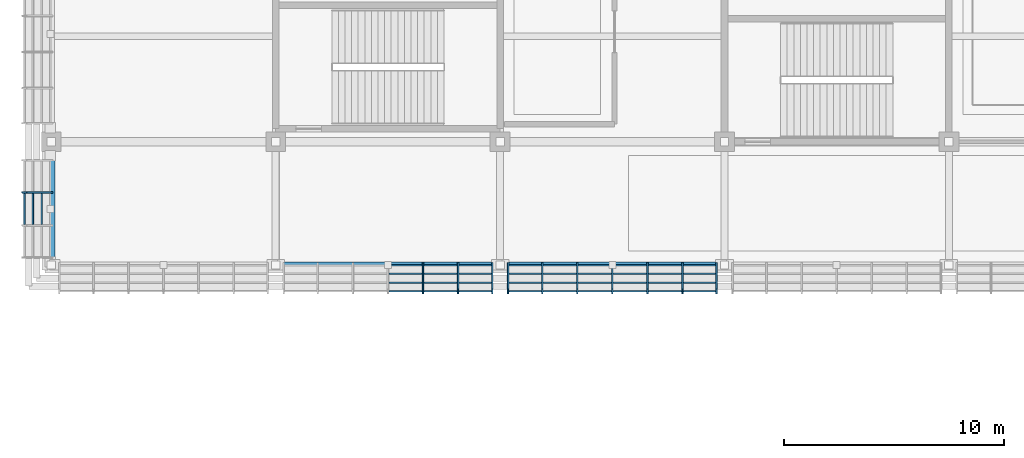
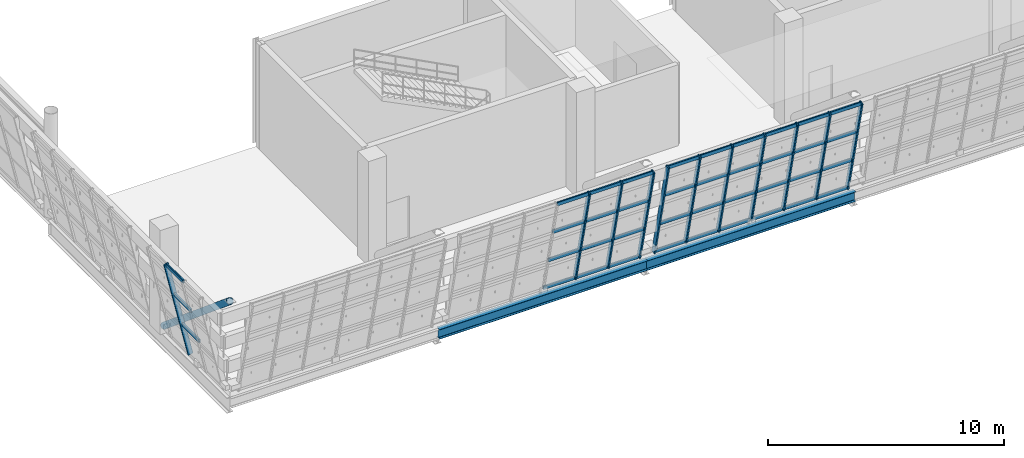
# One storey, part 22 of 175: 51 members, 2 beams, 3 elements without a shape of their own.
"""IFC4 building model written with IfcOpenShell, lengths in metres."""

from ifc_helpers import new_model, si_unit, direction, frame, origin, origin_2d, place, context, subcontext, project, spatial, hollow_rectangle, hollow_circle, i_section, extrude, material, material_profile, profile_set, type_object, element, aggregate, save


model = new_model("IFC4")

# Units and contexts
model_context = context("Model", 3, precision=1e-05, world=origin(), true_north=direction((0.0, 1.0)))
body_context = subcontext(model_context, "Body", "Model", "MODEL_VIEW")
ifc_project = project(units=[si_unit("LENGTHUNIT", "METRE"), si_unit("AREAUNIT", "SQUARE_METRE"), si_unit("VOLUMEUNIT", "CUBIC_METRE"), si_unit("PLANEANGLEUNIT", "RADIAN"), si_unit("MASSUNIT", "GRAM", prefix="KILO")], contexts=[model_context])

# Site, building, storey
site_placement = place(None, origin())
site = spatial("IfcSite", under=ifc_project, at=site_placement, CompositionType="ELEMENT")
building_placement = place(site_placement, origin())
building = spatial("IfcBuilding", under=site, at=building_placement, Name="Brelvane Convention Centre", CompositionType="ELEMENT")
storey_placement = place(building_placement, frame((0.0, 0.0, 5.39990234375)))
storey = spatial("IfcBuildingStorey", under=building, at=storey_placement, Name="L01", CompositionType="ELEMENT", Elevation=5.39990234375)

# Curtain wall, members
ifc_material_1 = material(Name="Anodised Aluminium Alloy 6063-T6", Category="aluminium")
curtain_wall_type = type_object("IfcCurtainWallType", Name="Curtain Wall CW-HULL-S", PredefinedType="USERDEFINED", material=ifc_material_1)
curtain_wall_1_placement = place(storey_placement, origin())
curtain_wall_1 = element("IfcCurtainWall", 1, at=curtain_wall_1_placement, inside=storey, type_object=curtain_wall_type, Name="Curtain Wall CW-HULL-S L01-HULL-S-L01-02", ObjectType="UNITISED", PredefinedType="USERDEFINED")
ifc_material_2 = material(Name="Anodised Aluminium Alloy 6063-T6", Category="aluminium")
ifc_material_profile_1 = material_profile(ifc_material_2, hollow_rectangle(XDim=0.080078125, YDim=0.239990234375, WallThickness=0.006103515625, InnerFilletRadius=0.006103515625, OuterFilletRadius=0.011962890625, at=origin_2d()), Name="ALU-M 240x80x6.0")
ifc_profile_set_1 = profile_set([ifc_material_profile_1], Name="Anodised Aluminium Alloy 6063-T6")
member_type_1 = type_object("IfcMemberType", Name="Curtain Mullion CW-M1", PredefinedType="MULLION", material=ifc_profile_set_1)
member_1_placement = place(storey_placement, frame((16.893310546875, 13.60009765625, 0.0), z_axis=(0.0, -0.228360162456, 0.973576723326), x_axis=(1.0, 0.0, 0.0)))
member_1 = element("IfcMember", 2, at=member_1_placement, type_object=member_type_1, Name="CW-HULL-S mullion 5", PredefinedType="MULLION", context=body_context, shape_type="SweptSolid", body=[
    extrude(hollow_rectangle(XDim=0.080078125, YDim=0.239990234375, WallThickness=0.006103515625, InnerFilletRadius=0.006103515625, OuterFilletRadius=0.011962890625, at=origin_2d()), origin(), (0.0, 0.0, 1.0), 5.2900390625),
])
member_2_placement = place(storey_placement, frame((18.486572265625, 13.60009765625, 0.0), z_axis=(0.0, -0.228360162456, 0.973576723326), x_axis=(1.0, 0.0, 0.0)))
member_2 = element("IfcMember", 3, at=member_2_placement, type_object=member_type_1, Name="CW-HULL-S mullion 6", PredefinedType="MULLION", context=body_context, shape_type="SweptSolid", body=[
    extrude(hollow_rectangle(XDim=0.080078125, YDim=0.239990234375, WallThickness=0.006103515625, InnerFilletRadius=0.006103515625, OuterFilletRadius=0.011962890625, at=origin_2d()), origin(), (0.0, 0.0, 1.0), 5.2900390625),
])
member_3_placement = place(storey_placement, frame((20.0400390625, 13.60009765625, 0.0), z_axis=(0.0, -0.228360162456, 0.973576723326), x_axis=(1.0, 0.0, 0.0)))
member_3 = element("IfcMember", 4, at=member_3_placement, type_object=member_type_1, Name="CW-HULL-S mullion 7", PredefinedType="MULLION", context=body_context, shape_type="SweptSolid", body=[
    extrude(hollow_rectangle(XDim=0.080078125, YDim=0.239990234375, WallThickness=0.006103515625, InnerFilletRadius=0.006103515625, OuterFilletRadius=0.011962890625, at=origin_2d()), origin(), (0.0, 0.0, 1.0), 5.2900390625),
])

curtain_wall_2_placement = place(storey_placement, origin())
curtain_wall_2 = element("IfcCurtainWall", 5, at=curtain_wall_2_placement, inside=storey, type_object=curtain_wall_type, Name="Curtain Wall CW-HULL-S L01-HULL-S-L01-03", ObjectType="UNITISED", PredefinedType="USERDEFINED")
member_4_placement = place(storey_placement, frame((20.760009765625, 13.60009765625, 0.0), z_axis=(0.0, -0.228360162456, 0.973576723326), x_axis=(1.0, 0.0, 0.0)))
member_4 = element("IfcMember", 6, at=member_4_placement, type_object=member_type_1, Name="CW-HULL-S mullion 1", PredefinedType="MULLION", context=body_context, shape_type="SweptSolid", body=[
    extrude(hollow_rectangle(XDim=0.080078125, YDim=0.239990234375, WallThickness=0.006103515625, InnerFilletRadius=0.006103515625, OuterFilletRadius=0.011962890625, at=origin_2d()), origin(), (0.0, 0.0, 1.0), 5.2900390625),
])
member_5_placement = place(storey_placement, frame((22.313232421875, 13.60009765625, 0.0), z_axis=(0.0, -0.228360162456, 0.973576723326), x_axis=(1.0, 0.0, 0.0)))
member_5 = element("IfcMember", 7, at=member_5_placement, type_object=member_type_1, Name="CW-HULL-S mullion 2", PredefinedType="MULLION", context=body_context, shape_type="SweptSolid", body=[
    extrude(hollow_rectangle(XDim=0.080078125, YDim=0.239990234375, WallThickness=0.006103515625, InnerFilletRadius=0.006103515625, OuterFilletRadius=0.011962890625, at=origin_2d()), origin(), (0.0, 0.0, 1.0), 5.2900390625),
])
member_6_placement = place(storey_placement, frame((23.90673828125, 13.60009765625, 0.0), z_axis=(0.0, -0.228360162456, 0.973576723326), x_axis=(1.0, 0.0, 0.0)))
member_6 = element("IfcMember", 8, at=member_6_placement, type_object=member_type_1, Name="CW-HULL-S mullion 3", PredefinedType="MULLION", context=body_context, shape_type="SweptSolid", body=[
    extrude(hollow_rectangle(XDim=0.080078125, YDim=0.239990234375, WallThickness=0.006103515625, InnerFilletRadius=0.006103515625, OuterFilletRadius=0.011962890625, at=origin_2d()), origin(), (0.0, 0.0, 1.0), 5.2900390625),
])
member_7_placement = place(storey_placement, frame((25.5, 13.60009765625, 0.0), z_axis=(0.0, -0.228360162456, 0.973576723326), x_axis=(1.0, 0.0, 0.0)))
member_7 = element("IfcMember", 9, at=member_7_placement, type_object=member_type_1, Name="CW-HULL-S mullion 4", PredefinedType="MULLION", context=body_context, shape_type="SweptSolid", body=[
    extrude(hollow_rectangle(XDim=0.080078125, YDim=0.239990234375, WallThickness=0.006103515625, InnerFilletRadius=0.006103515625, OuterFilletRadius=0.011962890625, at=origin_2d()), origin(), (0.0, 0.0, 1.0), 5.2900390625),
])
member_8_placement = place(storey_placement, frame((27.09326171875, 13.60009765625, 0.0), z_axis=(0.0, -0.228360162456, 0.973576723326), x_axis=(1.0, 0.0, 0.0)))
member_8 = element("IfcMember", 10, at=member_8_placement, type_object=member_type_1, Name="CW-HULL-S mullion 5", PredefinedType="MULLION", context=body_context, shape_type="SweptSolid", body=[
    extrude(hollow_rectangle(XDim=0.080078125, YDim=0.239990234375, WallThickness=0.006103515625, InnerFilletRadius=0.006103515625, OuterFilletRadius=0.011962890625, at=origin_2d()), origin(), (0.0, 0.0, 1.0), 5.2900390625),
])
member_9_placement = place(storey_placement, frame((28.686767578125, 13.60009765625, 0.0), z_axis=(0.0, -0.228360162456, 0.973576723326), x_axis=(1.0, 0.0, 0.0)))
member_9 = element("IfcMember", 11, at=member_9_placement, type_object=member_type_1, Name="CW-HULL-S mullion 6", PredefinedType="MULLION", context=body_context, shape_type="SweptSolid", body=[
    extrude(hollow_rectangle(XDim=0.080078125, YDim=0.239990234375, WallThickness=0.006103515625, InnerFilletRadius=0.006103515625, OuterFilletRadius=0.011962890625, at=origin_2d()), origin(), (0.0, 0.0, 1.0), 5.2900390625),
])
member_10_placement = place(storey_placement, frame((30.239990234375, 13.60009765625, 0.0), z_axis=(0.0, -0.228360162456, 0.973576723326), x_axis=(1.0, 0.0, 0.0)))
member_10 = element("IfcMember", 12, at=member_10_placement, type_object=member_type_1, Name="CW-HULL-S mullion 7", PredefinedType="MULLION", context=body_context, shape_type="SweptSolid", body=[
    extrude(hollow_rectangle(XDim=0.080078125, YDim=0.239990234375, WallThickness=0.006103515625, InnerFilletRadius=0.006103515625, OuterFilletRadius=0.011962890625, at=origin_2d()), origin(), (0.0, 0.0, 1.0), 5.2900390625),
])

# Curtain wall, member
curtain_wall_3_placement = place(storey_placement, origin())
curtain_wall_3 = element("IfcCurtainWall", 13, at=curtain_wall_3_placement, inside=storey, type_object=curtain_wall_type, Name="Curtain Wall CW-HULL-S L01-HULL-W-GAL-L01-A", ObjectType="UNITISED", PredefinedType="USERDEFINED")
member_11_placement = place(storey_placement, frame((-0.0400390625, 16.89990234375, 0.0), z_axis=(-0.228329922226, 0.0, 0.973583815917), x_axis=(0.0, -1.0, 0.0)))
member_11 = element("IfcMember", 14, at=member_11_placement, type_object=member_type_1, Name="CW-HULL-S mullion 3", PredefinedType="MULLION", context=body_context, shape_type="SweptSolid", body=[
    extrude(hollow_rectangle(XDim=0.080078125, YDim=0.239990234375, WallThickness=0.006103515625, InnerFilletRadius=0.006103515625, OuterFilletRadius=0.011962890625, at=origin_2d()), origin(), (0.0, 0.0, 1.0), 5.218017578125),
])

# Member
ifc_material_3 = material(Name="Anodised Aluminium Alloy 6063-T6", Category="aluminium")
ifc_material_profile_2 = material_profile(ifc_material_3, hollow_rectangle(XDim=0.080078125, YDim=0.179931640625, WallThickness=0.0048828125, InnerFilletRadius=0.0048828125, OuterFilletRadius=0.010009765625, at=origin_2d()), Name="ALU-T 180x80x5.0")
ifc_profile_set_2 = profile_set([ifc_material_profile_2], Name="Anodised Aluminium Alloy 6063-T6")
member_type_2 = type_object("IfcMemberType", Name="Curtain Transom CW-T1", PredefinedType="USERDEFINED", material=ifc_profile_set_2)
member_12_placement = place(storey_placement, frame((15.340087890625, 13.590576171875, 0.0400390625), z_axis=(1.0, 0.0, 0.0), x_axis=(0.0, 1.0, 0.0)))
member_12 = element("IfcMember", 15, at=member_12_placement, type_object=member_type_2, Name="CW-HULL-S transom 4.1", ObjectType="TRANSOM", PredefinedType="USERDEFINED", context=body_context, shape_type="SweptSolid", body=[
    extrude(hollow_rectangle(XDim=0.080078125, YDim=0.179931640625, WallThickness=0.0048828125, InnerFilletRadius=0.0048828125, OuterFilletRadius=0.010009765625, at=origin_2d()), origin(), (0.0, 0.0, 1.0), 1.51318359375),
])

member_13_placement = place(storey_placement, frame((15.340087890625, 13.197265625, 1.716796875), z_axis=(1.0, 0.0, 0.0), x_axis=(0.0, 1.0, 0.0)))
member_13 = element("IfcMember", 16, at=member_13_placement, type_object=member_type_2, Name="CW-HULL-S transom 4.2", ObjectType="TRANSOM", PredefinedType="USERDEFINED", context=body_context, shape_type="SweptSolid", body=[
    extrude(hollow_rectangle(XDim=0.080078125, YDim=0.179931640625, WallThickness=0.0048828125, InnerFilletRadius=0.0048828125, OuterFilletRadius=0.010009765625, at=origin_2d()), origin(), (0.0, 0.0, 1.0), 1.51318359375),
])

member_14_placement = place(storey_placement, frame((15.340087890625, 12.794677734375, 3.433349609375), z_axis=(1.0, 0.0, 0.0), x_axis=(0.0, 1.0, 0.0)))
member_14 = element("IfcMember", 17, at=member_14_placement, type_object=member_type_2, Name="CW-HULL-S transom 4.3", ObjectType="TRANSOM", PredefinedType="USERDEFINED", context=body_context, shape_type="SweptSolid", body=[
    extrude(hollow_rectangle(XDim=0.080078125, YDim=0.179931640625, WallThickness=0.0048828125, InnerFilletRadius=0.0048828125, OuterFilletRadius=0.010009765625, at=origin_2d()), origin(), (0.0, 0.0, 1.0), 1.51318359375),
])

member_15_placement = place(storey_placement, frame((15.340087890625, 12.4013671875, 5.110107421875), z_axis=(1.0, 0.0, 0.0), x_axis=(0.0, 1.0, 0.0)))
member_15 = element("IfcMember", 18, at=member_15_placement, type_object=member_type_2, Name="CW-HULL-S transom 4.4", ObjectType="TRANSOM", PredefinedType="USERDEFINED", context=body_context, shape_type="SweptSolid", body=[
    extrude(hollow_rectangle(XDim=0.080078125, YDim=0.179931640625, WallThickness=0.0048828125, InnerFilletRadius=0.0048828125, OuterFilletRadius=0.010009765625, at=origin_2d()), origin(), (0.0, 0.0, 1.0), 1.51318359375),
])

member_16_placement = place(storey_placement, frame((16.933349609375, 13.590576171875, 0.0400390625), z_axis=(1.0, 0.0, 0.0), x_axis=(0.0, 1.0, 0.0)))
member_16 = element("IfcMember", 19, at=member_16_placement, type_object=member_type_2, Name="CW-HULL-S transom 5.1", ObjectType="TRANSOM", PredefinedType="USERDEFINED", context=body_context, shape_type="SweptSolid", body=[
    extrude(hollow_rectangle(XDim=0.080078125, YDim=0.179931640625, WallThickness=0.0048828125, InnerFilletRadius=0.0048828125, OuterFilletRadius=0.010009765625, at=origin_2d()), origin(), (0.0, 0.0, 1.0), 1.513427734375),
])

member_17_placement = place(storey_placement, frame((16.933349609375, 13.197265625, 1.716796875), z_axis=(1.0, 0.0, 0.0), x_axis=(0.0, 1.0, 0.0)))
member_17 = element("IfcMember", 20, at=member_17_placement, type_object=member_type_2, Name="CW-HULL-S transom 5.2", ObjectType="TRANSOM", PredefinedType="USERDEFINED", context=body_context, shape_type="SweptSolid", body=[
    extrude(hollow_rectangle(XDim=0.080078125, YDim=0.179931640625, WallThickness=0.0048828125, InnerFilletRadius=0.0048828125, OuterFilletRadius=0.010009765625, at=origin_2d()), origin(), (0.0, 0.0, 1.0), 1.513427734375),
])

member_18_placement = place(storey_placement, frame((16.933349609375, 12.794677734375, 3.433349609375), z_axis=(1.0, 0.0, 0.0), x_axis=(0.0, 1.0, 0.0)))
member_18 = element("IfcMember", 21, at=member_18_placement, type_object=member_type_2, Name="CW-HULL-S transom 5.3", ObjectType="TRANSOM", PredefinedType="USERDEFINED", context=body_context, shape_type="SweptSolid", body=[
    extrude(hollow_rectangle(XDim=0.080078125, YDim=0.179931640625, WallThickness=0.0048828125, InnerFilletRadius=0.0048828125, OuterFilletRadius=0.010009765625, at=origin_2d()), origin(), (0.0, 0.0, 1.0), 1.513427734375),
])

member_19_placement = place(storey_placement, frame((16.933349609375, 12.4013671875, 5.110107421875), z_axis=(1.0, 0.0, 0.0), x_axis=(0.0, 1.0, 0.0)))
member_19 = element("IfcMember", 22, at=member_19_placement, type_object=member_type_2, Name="CW-HULL-S transom 5.4", ObjectType="TRANSOM", PredefinedType="USERDEFINED", context=body_context, shape_type="SweptSolid", body=[
    extrude(hollow_rectangle(XDim=0.080078125, YDim=0.179931640625, WallThickness=0.0048828125, InnerFilletRadius=0.0048828125, OuterFilletRadius=0.010009765625, at=origin_2d()), origin(), (0.0, 0.0, 1.0), 1.513427734375),
])

member_20_placement = place(storey_placement, frame((18.526611328125, 13.590576171875, 0.0400390625), z_axis=(1.0, 0.0, 0.0), x_axis=(0.0, 1.0, 0.0)))
member_20 = element("IfcMember", 23, at=member_20_placement, type_object=member_type_2, Name="CW-HULL-S transom 6.1", ObjectType="TRANSOM", PredefinedType="USERDEFINED", context=body_context, shape_type="SweptSolid", body=[
    extrude(hollow_rectangle(XDim=0.080078125, YDim=0.179931640625, WallThickness=0.0048828125, InnerFilletRadius=0.0048828125, OuterFilletRadius=0.010009765625, at=origin_2d()), origin(), (0.0, 0.0, 1.0), 1.473388671875),
])

member_21_placement = place(storey_placement, frame((18.526611328125, 13.197265625, 1.716796875), z_axis=(1.0, 0.0, 0.0), x_axis=(0.0, 1.0, 0.0)))
member_21 = element("IfcMember", 24, at=member_21_placement, type_object=member_type_2, Name="CW-HULL-S transom 6.2", ObjectType="TRANSOM", PredefinedType="USERDEFINED", context=body_context, shape_type="SweptSolid", body=[
    extrude(hollow_rectangle(XDim=0.080078125, YDim=0.179931640625, WallThickness=0.0048828125, InnerFilletRadius=0.0048828125, OuterFilletRadius=0.010009765625, at=origin_2d()), origin(), (0.0, 0.0, 1.0), 1.473388671875),
])

member_22_placement = place(storey_placement, frame((18.526611328125, 12.794677734375, 3.433349609375), z_axis=(1.0, 0.0, 0.0), x_axis=(0.0, 1.0, 0.0)))
member_22 = element("IfcMember", 25, at=member_22_placement, type_object=member_type_2, Name="CW-HULL-S transom 6.3", ObjectType="TRANSOM", PredefinedType="USERDEFINED", context=body_context, shape_type="SweptSolid", body=[
    extrude(hollow_rectangle(XDim=0.080078125, YDim=0.179931640625, WallThickness=0.0048828125, InnerFilletRadius=0.0048828125, OuterFilletRadius=0.010009765625, at=origin_2d()), origin(), (0.0, 0.0, 1.0), 1.473388671875),
])

member_23_placement = place(storey_placement, frame((18.526611328125, 12.4013671875, 5.110107421875), z_axis=(1.0, 0.0, 0.0), x_axis=(0.0, 1.0, 0.0)))
member_23 = element("IfcMember", 26, at=member_23_placement, type_object=member_type_2, Name="CW-HULL-S transom 6.4", ObjectType="TRANSOM", PredefinedType="USERDEFINED", context=body_context, shape_type="SweptSolid", body=[
    extrude(hollow_rectangle(XDim=0.080078125, YDim=0.179931640625, WallThickness=0.0048828125, InnerFilletRadius=0.0048828125, OuterFilletRadius=0.010009765625, at=origin_2d()), origin(), (0.0, 0.0, 1.0), 1.473388671875),
])

aggregate(curtain_wall_1, [member_1, member_2, member_3, member_12, member_13, member_14, member_15, member_16, member_17, member_18, member_19, member_20, member_21, member_22, member_23])

member_24_placement = place(storey_placement, frame((20.800048828125, 13.590576171875, 0.0400390625), z_axis=(1.0, 0.0, 0.0), x_axis=(0.0, 1.0, 0.0)))
member_24 = element("IfcMember", 27, at=member_24_placement, type_object=member_type_2, Name="CW-HULL-S transom 1.1", ObjectType="TRANSOM", PredefinedType="USERDEFINED", context=body_context, shape_type="SweptSolid", body=[
    extrude(hollow_rectangle(XDim=0.080078125, YDim=0.179931640625, WallThickness=0.0048828125, InnerFilletRadius=0.0048828125, OuterFilletRadius=0.010009765625, at=origin_2d()), origin(), (0.0, 0.0, 1.0), 1.473388671875),
])

member_25_placement = place(storey_placement, frame((20.800048828125, 13.197265625, 1.716796875), z_axis=(1.0, 0.0, 0.0), x_axis=(0.0, 1.0, 0.0)))
member_25 = element("IfcMember", 28, at=member_25_placement, type_object=member_type_2, Name="CW-HULL-S transom 1.2", ObjectType="TRANSOM", PredefinedType="USERDEFINED", context=body_context, shape_type="SweptSolid", body=[
    extrude(hollow_rectangle(XDim=0.080078125, YDim=0.179931640625, WallThickness=0.0048828125, InnerFilletRadius=0.0048828125, OuterFilletRadius=0.010009765625, at=origin_2d()), origin(), (0.0, 0.0, 1.0), 1.473388671875),
])

member_26_placement = place(storey_placement, frame((20.800048828125, 12.794677734375, 3.433349609375), z_axis=(1.0, 0.0, 0.0), x_axis=(0.0, 1.0, 0.0)))
member_26 = element("IfcMember", 29, at=member_26_placement, type_object=member_type_2, Name="CW-HULL-S transom 1.3", ObjectType="TRANSOM", PredefinedType="USERDEFINED", context=body_context, shape_type="SweptSolid", body=[
    extrude(hollow_rectangle(XDim=0.080078125, YDim=0.179931640625, WallThickness=0.0048828125, InnerFilletRadius=0.0048828125, OuterFilletRadius=0.010009765625, at=origin_2d()), origin(), (0.0, 0.0, 1.0), 1.473388671875),
])

member_27_placement = place(storey_placement, frame((20.800048828125, 12.4013671875, 5.110107421875), z_axis=(1.0, 0.0, 0.0), x_axis=(0.0, 1.0, 0.0)))
member_27 = element("IfcMember", 30, at=member_27_placement, type_object=member_type_2, Name="CW-HULL-S transom 1.4", ObjectType="TRANSOM", PredefinedType="USERDEFINED", context=body_context, shape_type="SweptSolid", body=[
    extrude(hollow_rectangle(XDim=0.080078125, YDim=0.179931640625, WallThickness=0.0048828125, InnerFilletRadius=0.0048828125, OuterFilletRadius=0.010009765625, at=origin_2d()), origin(), (0.0, 0.0, 1.0), 1.473388671875),
])

member_28_placement = place(storey_placement, frame((22.353271484375, 13.590576171875, 0.0400390625), z_axis=(1.0, 0.0, 0.0), x_axis=(0.0, 1.0, 0.0)))
member_28 = element("IfcMember", 31, at=member_28_placement, type_object=member_type_2, Name="CW-HULL-S transom 2.1", ObjectType="TRANSOM", PredefinedType="USERDEFINED", context=body_context, shape_type="SweptSolid", body=[
    extrude(hollow_rectangle(XDim=0.080078125, YDim=0.179931640625, WallThickness=0.0048828125, InnerFilletRadius=0.0048828125, OuterFilletRadius=0.010009765625, at=origin_2d()), origin(), (0.0, 0.0, 1.0), 1.513427734375),
])

member_29_placement = place(storey_placement, frame((22.353271484375, 13.197265625, 1.716796875), z_axis=(1.0, 0.0, 0.0), x_axis=(0.0, 1.0, 0.0)))
member_29 = element("IfcMember", 32, at=member_29_placement, type_object=member_type_2, Name="CW-HULL-S transom 2.2", ObjectType="TRANSOM", PredefinedType="USERDEFINED", context=body_context, shape_type="SweptSolid", body=[
    extrude(hollow_rectangle(XDim=0.080078125, YDim=0.179931640625, WallThickness=0.0048828125, InnerFilletRadius=0.0048828125, OuterFilletRadius=0.010009765625, at=origin_2d()), origin(), (0.0, 0.0, 1.0), 1.513427734375),
])

member_30_placement = place(storey_placement, frame((22.353271484375, 12.794677734375, 3.433349609375), z_axis=(1.0, 0.0, 0.0), x_axis=(0.0, 1.0, 0.0)))
member_30 = element("IfcMember", 33, at=member_30_placement, type_object=member_type_2, Name="CW-HULL-S transom 2.3", ObjectType="TRANSOM", PredefinedType="USERDEFINED", context=body_context, shape_type="SweptSolid", body=[
    extrude(hollow_rectangle(XDim=0.080078125, YDim=0.179931640625, WallThickness=0.0048828125, InnerFilletRadius=0.0048828125, OuterFilletRadius=0.010009765625, at=origin_2d()), origin(), (0.0, 0.0, 1.0), 1.513427734375),
])

member_31_placement = place(storey_placement, frame((22.353271484375, 12.4013671875, 5.110107421875), z_axis=(1.0, 0.0, 0.0), x_axis=(0.0, 1.0, 0.0)))
member_31 = element("IfcMember", 34, at=member_31_placement, type_object=member_type_2, Name="CW-HULL-S transom 2.4", ObjectType="TRANSOM", PredefinedType="USERDEFINED", context=body_context, shape_type="SweptSolid", body=[
    extrude(hollow_rectangle(XDim=0.080078125, YDim=0.179931640625, WallThickness=0.0048828125, InnerFilletRadius=0.0048828125, OuterFilletRadius=0.010009765625, at=origin_2d()), origin(), (0.0, 0.0, 1.0), 1.513427734375),
])

member_32_placement = place(storey_placement, frame((23.94677734375, 13.590576171875, 0.0400390625), z_axis=(1.0, 0.0, 0.0), x_axis=(0.0, 1.0, 0.0)))
member_32 = element("IfcMember", 35, at=member_32_placement, type_object=member_type_2, Name="CW-HULL-S transom 3.1", ObjectType="TRANSOM", PredefinedType="USERDEFINED", context=body_context, shape_type="SweptSolid", body=[
    extrude(hollow_rectangle(XDim=0.080078125, YDim=0.179931640625, WallThickness=0.0048828125, InnerFilletRadius=0.0048828125, OuterFilletRadius=0.010009765625, at=origin_2d()), origin(), (0.0, 0.0, 1.0), 1.51318359375),
])

member_33_placement = place(storey_placement, frame((23.94677734375, 13.197265625, 1.716796875), z_axis=(1.0, 0.0, 0.0), x_axis=(0.0, 1.0, 0.0)))
member_33 = element("IfcMember", 36, at=member_33_placement, type_object=member_type_2, Name="CW-HULL-S transom 3.2", ObjectType="TRANSOM", PredefinedType="USERDEFINED", context=body_context, shape_type="SweptSolid", body=[
    extrude(hollow_rectangle(XDim=0.080078125, YDim=0.179931640625, WallThickness=0.0048828125, InnerFilletRadius=0.0048828125, OuterFilletRadius=0.010009765625, at=origin_2d()), origin(), (0.0, 0.0, 1.0), 1.51318359375),
])

member_34_placement = place(storey_placement, frame((23.94677734375, 12.794677734375, 3.433349609375), z_axis=(1.0, 0.0, 0.0), x_axis=(0.0, 1.0, 0.0)))
member_34 = element("IfcMember", 37, at=member_34_placement, type_object=member_type_2, Name="CW-HULL-S transom 3.3", ObjectType="TRANSOM", PredefinedType="USERDEFINED", context=body_context, shape_type="SweptSolid", body=[
    extrude(hollow_rectangle(XDim=0.080078125, YDim=0.179931640625, WallThickness=0.0048828125, InnerFilletRadius=0.0048828125, OuterFilletRadius=0.010009765625, at=origin_2d()), origin(), (0.0, 0.0, 1.0), 1.51318359375),
])

member_35_placement = place(storey_placement, frame((23.94677734375, 12.4013671875, 5.110107421875), z_axis=(1.0, 0.0, 0.0), x_axis=(0.0, 1.0, 0.0)))
member_35 = element("IfcMember", 38, at=member_35_placement, type_object=member_type_2, Name="CW-HULL-S transom 3.4", ObjectType="TRANSOM", PredefinedType="USERDEFINED", context=body_context, shape_type="SweptSolid", body=[
    extrude(hollow_rectangle(XDim=0.080078125, YDim=0.179931640625, WallThickness=0.0048828125, InnerFilletRadius=0.0048828125, OuterFilletRadius=0.010009765625, at=origin_2d()), origin(), (0.0, 0.0, 1.0), 1.51318359375),
])

member_36_placement = place(storey_placement, frame((25.5400390625, 13.590576171875, 0.0400390625), z_axis=(1.0, 0.0, 0.0), x_axis=(0.0, 1.0, 0.0)))
member_36 = element("IfcMember", 39, at=member_36_placement, type_object=member_type_2, Name="CW-HULL-S transom 4.1", ObjectType="TRANSOM", PredefinedType="USERDEFINED", context=body_context, shape_type="SweptSolid", body=[
    extrude(hollow_rectangle(XDim=0.080078125, YDim=0.179931640625, WallThickness=0.0048828125, InnerFilletRadius=0.0048828125, OuterFilletRadius=0.010009765625, at=origin_2d()), origin(), (0.0, 0.0, 1.0), 1.51318359375),
])

member_37_placement = place(storey_placement, frame((25.5400390625, 13.197265625, 1.716796875), z_axis=(1.0, 0.0, 0.0), x_axis=(0.0, 1.0, 0.0)))
member_37 = element("IfcMember", 40, at=member_37_placement, type_object=member_type_2, Name="CW-HULL-S transom 4.2", ObjectType="TRANSOM", PredefinedType="USERDEFINED", context=body_context, shape_type="SweptSolid", body=[
    extrude(hollow_rectangle(XDim=0.080078125, YDim=0.179931640625, WallThickness=0.0048828125, InnerFilletRadius=0.0048828125, OuterFilletRadius=0.010009765625, at=origin_2d()), origin(), (0.0, 0.0, 1.0), 1.51318359375),
])

member_38_placement = place(storey_placement, frame((25.5400390625, 12.794677734375, 3.433349609375), z_axis=(1.0, 0.0, 0.0), x_axis=(0.0, 1.0, 0.0)))
member_38 = element("IfcMember", 41, at=member_38_placement, type_object=member_type_2, Name="CW-HULL-S transom 4.3", ObjectType="TRANSOM", PredefinedType="USERDEFINED", context=body_context, shape_type="SweptSolid", body=[
    extrude(hollow_rectangle(XDim=0.080078125, YDim=0.179931640625, WallThickness=0.0048828125, InnerFilletRadius=0.0048828125, OuterFilletRadius=0.010009765625, at=origin_2d()), origin(), (0.0, 0.0, 1.0), 1.51318359375),
])

member_39_placement = place(storey_placement, frame((25.5400390625, 12.4013671875, 5.110107421875), z_axis=(1.0, 0.0, 0.0), x_axis=(0.0, 1.0, 0.0)))
member_39 = element("IfcMember", 42, at=member_39_placement, type_object=member_type_2, Name="CW-HULL-S transom 4.4", ObjectType="TRANSOM", PredefinedType="USERDEFINED", context=body_context, shape_type="SweptSolid", body=[
    extrude(hollow_rectangle(XDim=0.080078125, YDim=0.179931640625, WallThickness=0.0048828125, InnerFilletRadius=0.0048828125, OuterFilletRadius=0.010009765625, at=origin_2d()), origin(), (0.0, 0.0, 1.0), 1.51318359375),
])

member_40_placement = place(storey_placement, frame((27.13330078125, 13.590576171875, 0.0400390625), z_axis=(1.0, 0.0, 0.0), x_axis=(0.0, 1.0, 0.0)))
member_40 = element("IfcMember", 43, at=member_40_placement, type_object=member_type_2, Name="CW-HULL-S transom 5.1", ObjectType="TRANSOM", PredefinedType="USERDEFINED", context=body_context, shape_type="SweptSolid", body=[
    extrude(hollow_rectangle(XDim=0.080078125, YDim=0.179931640625, WallThickness=0.0048828125, InnerFilletRadius=0.0048828125, OuterFilletRadius=0.010009765625, at=origin_2d()), origin(), (0.0, 0.0, 1.0), 1.513427734375),
])

member_41_placement = place(storey_placement, frame((27.13330078125, 13.197265625, 1.716796875), z_axis=(1.0, 0.0, 0.0), x_axis=(0.0, 1.0, 0.0)))
member_41 = element("IfcMember", 44, at=member_41_placement, type_object=member_type_2, Name="CW-HULL-S transom 5.2", ObjectType="TRANSOM", PredefinedType="USERDEFINED", context=body_context, shape_type="SweptSolid", body=[
    extrude(hollow_rectangle(XDim=0.080078125, YDim=0.179931640625, WallThickness=0.0048828125, InnerFilletRadius=0.0048828125, OuterFilletRadius=0.010009765625, at=origin_2d()), origin(), (0.0, 0.0, 1.0), 1.513427734375),
])

member_42_placement = place(storey_placement, frame((27.13330078125, 12.794677734375, 3.433349609375), z_axis=(1.0, 0.0, 0.0), x_axis=(0.0, 1.0, 0.0)))
member_42 = element("IfcMember", 45, at=member_42_placement, type_object=member_type_2, Name="CW-HULL-S transom 5.3", ObjectType="TRANSOM", PredefinedType="USERDEFINED", context=body_context, shape_type="SweptSolid", body=[
    extrude(hollow_rectangle(XDim=0.080078125, YDim=0.179931640625, WallThickness=0.0048828125, InnerFilletRadius=0.0048828125, OuterFilletRadius=0.010009765625, at=origin_2d()), origin(), (0.0, 0.0, 1.0), 1.513427734375),
])

member_43_placement = place(storey_placement, frame((27.13330078125, 12.4013671875, 5.110107421875), z_axis=(1.0, 0.0, 0.0), x_axis=(0.0, 1.0, 0.0)))
member_43 = element("IfcMember", 46, at=member_43_placement, type_object=member_type_2, Name="CW-HULL-S transom 5.4", ObjectType="TRANSOM", PredefinedType="USERDEFINED", context=body_context, shape_type="SweptSolid", body=[
    extrude(hollow_rectangle(XDim=0.080078125, YDim=0.179931640625, WallThickness=0.0048828125, InnerFilletRadius=0.0048828125, OuterFilletRadius=0.010009765625, at=origin_2d()), origin(), (0.0, 0.0, 1.0), 1.513427734375),
])

member_44_placement = place(storey_placement, frame((28.7265625, 13.590576171875, 0.0400390625), z_axis=(1.0, 0.0, 0.0), x_axis=(0.0, 1.0, 0.0)))
member_44 = element("IfcMember", 47, at=member_44_placement, type_object=member_type_2, Name="CW-HULL-S transom 6.1", ObjectType="TRANSOM", PredefinedType="USERDEFINED", context=body_context, shape_type="SweptSolid", body=[
    extrude(hollow_rectangle(XDim=0.080078125, YDim=0.179931640625, WallThickness=0.0048828125, InnerFilletRadius=0.0048828125, OuterFilletRadius=0.010009765625, at=origin_2d()), origin(), (0.0, 0.0, 1.0), 1.473388671875),
])

member_45_placement = place(storey_placement, frame((28.7265625, 13.197265625, 1.716796875), z_axis=(1.0, 0.0, 0.0), x_axis=(0.0, 1.0, 0.0)))
member_45 = element("IfcMember", 48, at=member_45_placement, type_object=member_type_2, Name="CW-HULL-S transom 6.2", ObjectType="TRANSOM", PredefinedType="USERDEFINED", context=body_context, shape_type="SweptSolid", body=[
    extrude(hollow_rectangle(XDim=0.080078125, YDim=0.179931640625, WallThickness=0.0048828125, InnerFilletRadius=0.0048828125, OuterFilletRadius=0.010009765625, at=origin_2d()), origin(), (0.0, 0.0, 1.0), 1.473388671875),
])

member_46_placement = place(storey_placement, frame((28.7265625, 12.794677734375, 3.433349609375), z_axis=(1.0, 0.0, 0.0), x_axis=(0.0, 1.0, 0.0)))
member_46 = element("IfcMember", 49, at=member_46_placement, type_object=member_type_2, Name="CW-HULL-S transom 6.3", ObjectType="TRANSOM", PredefinedType="USERDEFINED", context=body_context, shape_type="SweptSolid", body=[
    extrude(hollow_rectangle(XDim=0.080078125, YDim=0.179931640625, WallThickness=0.0048828125, InnerFilletRadius=0.0048828125, OuterFilletRadius=0.010009765625, at=origin_2d()), origin(), (0.0, 0.0, 1.0), 1.473388671875),
])

member_47_placement = place(storey_placement, frame((28.7265625, 12.4013671875, 5.110107421875), z_axis=(1.0, 0.0, 0.0), x_axis=(0.0, 1.0, 0.0)))
member_47 = element("IfcMember", 50, at=member_47_placement, type_object=member_type_2, Name="CW-HULL-S transom 6.4", ObjectType="TRANSOM", PredefinedType="USERDEFINED", context=body_context, shape_type="SweptSolid", body=[
    extrude(hollow_rectangle(XDim=0.080078125, YDim=0.179931640625, WallThickness=0.0048828125, InnerFilletRadius=0.0048828125, OuterFilletRadius=0.010009765625, at=origin_2d()), origin(), (0.0, 0.0, 1.0), 1.473388671875),
])

aggregate(curtain_wall_2, [member_4, member_5, member_6, member_7, member_8, member_9, member_10, member_24, member_25, member_26, member_27, member_28, member_29, member_30, member_31, member_32, member_33, member_34, member_35, member_36, member_37, member_38, member_39, member_40, member_41, member_42, member_43, member_44, member_45, member_46, member_47])

member_48_placement = place(storey_placement, frame((-0.437255859375, 15.43994140625, 1.693359375), z_axis=(0.0, 1.0, 0.0), x_axis=(-1.0, 0.0, 0.0)))
member_48 = element("IfcMember", 51, at=member_48_placement, type_object=member_type_2, Name="CW-HULL-S transom 2.2", ObjectType="TRANSOM", PredefinedType="USERDEFINED", context=body_context, shape_type="SweptSolid", body=[
    extrude(hollow_rectangle(XDim=0.080078125, YDim=0.179931640625, WallThickness=0.0048828125, InnerFilletRadius=0.0048828125, OuterFilletRadius=0.010009765625, at=origin_2d()), origin(), (0.0, 0.0, 1.0), 1.420166015625),
])

member_49_placement = place(storey_placement, frame((-0.834228515625, 15.43994140625, 3.38671875), z_axis=(0.0, 1.0, 0.0), x_axis=(-1.0, 0.0, 0.0)))
member_49 = element("IfcMember", 52, at=member_49_placement, type_object=member_type_2, Name="CW-HULL-S transom 2.3", ObjectType="TRANSOM", PredefinedType="USERDEFINED", context=body_context, shape_type="SweptSolid", body=[
    extrude(hollow_rectangle(XDim=0.080078125, YDim=0.179931640625, WallThickness=0.0048828125, InnerFilletRadius=0.0048828125, OuterFilletRadius=0.010009765625, at=origin_2d()), origin(), (0.0, 0.0, 1.0), 1.420166015625),
])

member_50_placement = place(storey_placement, frame((-1.22216796875, 15.43994140625, 5.0400390625), z_axis=(0.0, 1.0, 0.0), x_axis=(-1.0, 0.0, 0.0)))
member_50 = element("IfcMember", 53, at=member_50_placement, type_object=member_type_2, Name="CW-HULL-S transom 2.4", ObjectType="TRANSOM", PredefinedType="USERDEFINED", context=body_context, shape_type="SweptSolid", body=[
    extrude(hollow_rectangle(XDim=0.080078125, YDim=0.179931640625, WallThickness=0.0048828125, InnerFilletRadius=0.0048828125, OuterFilletRadius=0.010009765625, at=origin_2d()), origin(), (0.0, 0.0, 1.0), 1.420166015625),
])

aggregate(curtain_wall_3, [member_11, member_48, member_49, member_50])

# Beams
ifc_material_4 = material(Name="Steel E350 (350 MPa)", Category="steel")
ifc_material_profile_3 = material_profile(ifc_material_4, i_section(OverallWidth=0.25, OverallDepth=0.5, WebThickness=0.010009765625, FlangeThickness=0.0146484375, FilletRadius=0.01611328125, at=origin_2d()), Name="ISWB 500")
ifc_profile_set_3 = profile_set([ifc_material_profile_3], Name="Steel E350 (350 MPa)")
beam_type = type_object("IfcBeamType", Name="Steel Spandrel SP-ST1 (ISWB 500)", PredefinedType="SPANDREL", material=ifc_profile_set_3)
beam_1_placement = place(storey_placement, frame((10.199951171875, 13.60009765625, -0.510009765625), z_axis=(1.0, 0.0, 0.0), x_axis=(0.0, 1.0, 0.0)))
element("IfcBeam", 54, at=beam_1_placement, inside=storey, type_object=beam_type, Name="L01 Hull Overhang Edge Spandrel 2", PredefinedType="SPANDREL", context=body_context, shape_type="SweptSolid", body=[
    extrude(i_section(OverallWidth=0.25, OverallDepth=0.5, WebThickness=0.010009765625, FlangeThickness=0.0146484375, FilletRadius=0.01611328125, at=origin_2d()), origin(), (0.0, 0.0, 1.0), 10.199951171875),
])
beam_2_placement = place(storey_placement, frame((20.39990234375, 13.60009765625, -0.510009765625), z_axis=(1.0, 0.0, 0.0), x_axis=(0.0, 1.0, 0.0)))
element("IfcBeam", 55, at=beam_2_placement, inside=storey, type_object=beam_type, Name="L01 Hull Overhang Edge Spandrel 3", PredefinedType="SPANDREL", context=body_context, shape_type="SweptSolid", body=[
    extrude(i_section(OverallWidth=0.25, OverallDepth=0.5, WebThickness=0.010009765625, FlangeThickness=0.0146484375, FilletRadius=0.01611328125, at=origin_2d()), origin(), (0.0, 0.0, 1.0), 10.2001953125),
])

# Member
ifc_material_5 = material(Name="Steel E450 (450 MPa)", Category="steel")
ifc_material_profile_4 = material_profile(ifc_material_5, hollow_circle(Radius=0.161865234375, WallThickness=0.012451171875, at=origin_2d()), Name="CHS 323.9x12.5")
ifc_profile_set_4 = profile_set([ifc_material_profile_4], Name="Steel E450 (450 MPa)")
member_type_3 = type_object("IfcMemberType", Name="Steel Strut HS-ST2 (CHS 323.9x12.5)", PredefinedType="STRUT", material=ifc_profile_set_4)
member_51_placement = place(storey_placement, frame((0.0, 19.199951171875, 0.050048828125), z_axis=(0.0, -0.767976969641, 0.640477457918), x_axis=(1.0, 0.0, 0.0)))
element("IfcMember", 56, at=member_51_placement, inside=storey, type_object=member_type_3, Name="Hull Overhang Raked Strut L01 V1-1", PredefinedType="STRUT", context=body_context, shape_type="SweptSolid", body=[
    extrude(hollow_circle(Radius=0.161865234375, WallThickness=0.012451171875, at=origin_2d()), origin(), (0.0, 0.0, 1.0), 7.291748046875),
])

save(model, "model.ifc")
